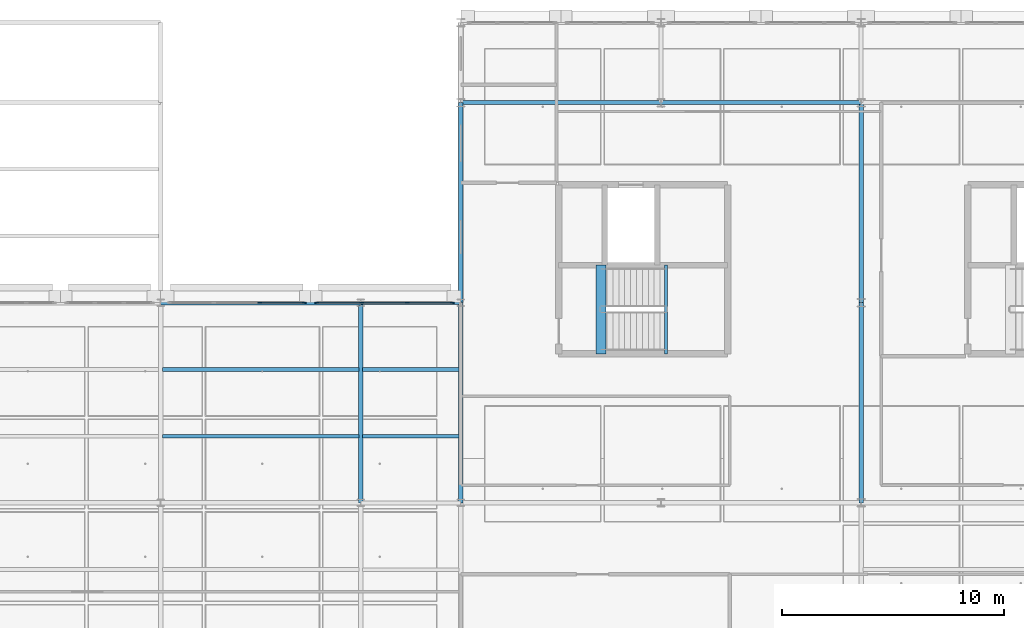
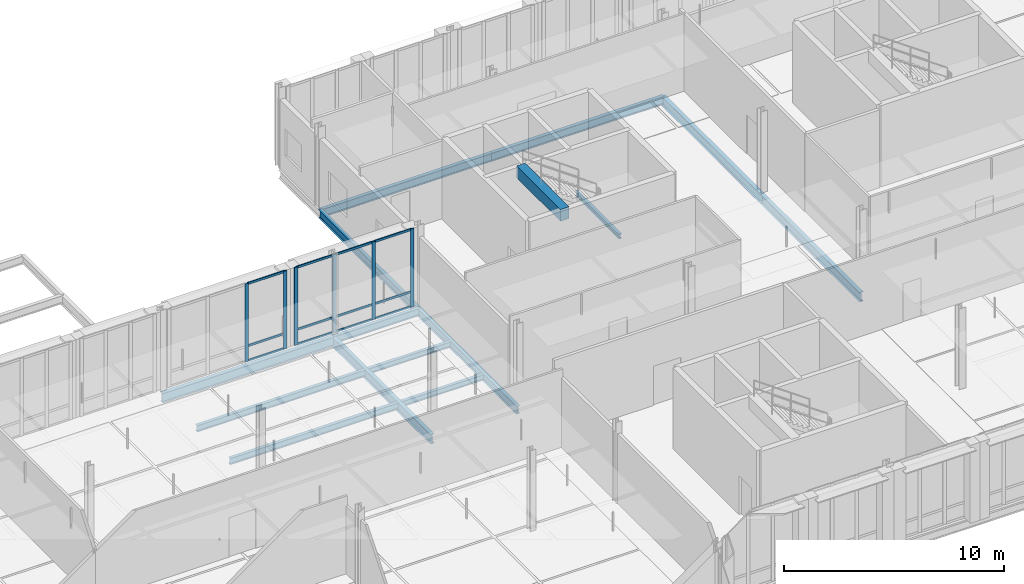
# One storey, part 58 of 140: 18 members, 15 beams, 2 elements without a shape of their own.
"""IFC4 building model written with IfcOpenShell, lengths in metres."""

from ifc_helpers import new_model, si_unit, direction, frame, origin, origin_2d, place, context, subcontext, project, spatial, rectangle, i_section, extrude, material, material_profile, profile_set, type_object, element, aggregate, save


model = new_model("IFC4")

# Units and contexts
model_context = context("Model", 3, precision=1e-05, world=origin(), true_north=direction((0.0, 1.0)))
body_context = subcontext(model_context, "Body", "Model", "MODEL_VIEW")
ifc_project = project(units=[si_unit("LENGTHUNIT", "METRE"), si_unit("AREAUNIT", "SQUARE_METRE"), si_unit("VOLUMEUNIT", "CUBIC_METRE"), si_unit("PLANEANGLEUNIT", "RADIAN"), si_unit("MASSUNIT", "GRAM", prefix="KILO"), si_unit("THERMODYNAMICTEMPERATUREUNIT", "KELVIN"), si_unit("POWERUNIT", "WATT")], contexts=[model_context])

# Site, building, storey
site_placement = place(None, origin())
site = spatial("IfcSite", under=ifc_project, at=site_placement, CompositionType="ELEMENT")
building_placement = place(site_placement, origin())
building = spatial("IfcBuilding", under=site, at=building_placement, Name="Tallowbark Science Centre", CompositionType="ELEMENT")
storey_placement = place(building_placement, frame((0.0, 0.0, 9.89990234375)))
storey = spatial("IfcBuildingStorey", under=building, at=storey_placement, Name="L02", CompositionType="ELEMENT", Elevation=9.89990234375)

# Beams
ifc_material_1 = material(Name="Concrete Grade N40 (40 MPa)", Category="concrete")
ifc_material_profile_1 = material_profile(ifc_material_1, rectangle(XDim=0.449951171875, YDim=0.64990234375, at=origin_2d()), Name="RC450x650")
ifc_profile_set_1 = profile_set([ifc_material_profile_1], Name="Concrete Grade N40 (40 MPa)")
beam_type_1 = type_object("IfcBeamType", Name="BM-GB2-N40", PredefinedType="BEAM", material=ifc_profile_set_1)
beam_1_placement = place(storey_placement, frame((118.81005859375, 96.699951171875, 4.175048828125), z_axis=(0.0, 1.0, 0.0), x_axis=(-1.0, 0.0, 0.0)))
element("IfcBeam", 1, at=beam_1_placement, inside=storey, type_object=beam_type_1, Name="Stair ST-05 Landing Nosing Beam L02", PredefinedType="BEAM", context=body_context, shape_type="SweptSolid", body=[
    extrude(rectangle(XDim=0.449951171875, YDim=0.64990234375, at=origin_2d()), origin(), (0.0, 0.0, 1.0), 3.9951171875),
])
ifc_material_2 = material(Name="Structural Steel Grade 300PLUS (300 MPa)", Category="steel")
ifc_material_profile_2 = material_profile(ifc_material_2, i_section(OverallWidth=0.177734375, OverallDepth=0.406494140625, WebThickness=0.0078125, FlangeThickness=0.0126953125, FilletRadius=0.011474609375, at=origin_2d()), Name="410UB59.7")
ifc_profile_set_2 = profile_set([ifc_material_profile_2], Name="Structural Steel Grade 300PLUS (300 MPa)")
beam_type_2 = type_object("IfcBeamType", Name="BM-UB410", PredefinedType="BEAM", material=ifc_profile_set_2)
beam_2_placement = place(storey_placement, frame((108.0, 99.0, -0.383056640625), z_axis=(1.0, 0.0, 0.0), x_axis=(0.0, 1.0, 0.0)))
element("IfcBeam", 2, at=beam_2_placement, inside=storey, type_object=beam_type_2, Name="Primary Girder GRDX-L02-1080-1125-990", PredefinedType="BEAM", context=body_context, shape_type="SweptSolid", body=[
    extrude(i_section(OverallWidth=0.177734375, OverallDepth=0.406494140625, WebThickness=0.0078125, FlangeThickness=0.0126953125, FilletRadius=0.011474609375, at=origin_2d()), origin(), (0.0, 0.0, 1.0), 4.5),
])
ifc_material_profile_3 = material_profile(ifc_material_2, i_section(OverallWidth=0.208984375, OverallDepth=0.532958984375, WebThickness=0.01025390625, FlangeThickness=0.015625, FilletRadius=0.013916015625, at=origin_2d()), Name="530UB92.4")
ifc_profile_set_3 = profile_set([ifc_material_profile_3], Name="Structural Steel Grade 300PLUS (300 MPa)")
beam_type_3 = type_object("IfcBeamType", Name="BM-UB530A", PredefinedType="BEAM", material=ifc_profile_set_3)
beam_3_placement = place(storey_placement, frame((99.0, 99.0, -0.4462890625), z_axis=(1.0, 0.0, 0.0), x_axis=(0.0, 1.0, 0.0)))
element("IfcBeam", 3, at=beam_3_placement, inside=storey, type_object=beam_type_3, Name="Primary Girder GRDX-L02-990-1080-990", PredefinedType="BEAM", context=body_context, shape_type="SweptSolid", body=[
    extrude(i_section(OverallWidth=0.208984375, OverallDepth=0.532958984375, WebThickness=0.01025390625, FlangeThickness=0.015625, FilletRadius=0.013916015625, at=origin_2d()), origin(), (0.0, 0.0, 1.0), 9.0),
])
ifc_material_profile_4 = material_profile(ifc_material_2, i_section(OverallWidth=0.208740234375, OverallDepth=0.5283203125, WebThickness=0.009521484375, FlangeThickness=0.01318359375, FilletRadius=0.013916015625, at=origin_2d()), Name="530UB82.0")
ifc_profile_set_4 = profile_set([ifc_material_profile_4], Name="Structural Steel Grade 300PLUS (300 MPa)")
beam_type_4 = type_object("IfcBeamType", Name="BM-UB530B", PredefinedType="BEAM", material=ifc_profile_set_4)
for number, where, z_axis, x_axis, name in (
    (4, (108.0, 90.0, -0.444091796875), (0.0, 1.0, 0.0), (-1.0, 0.0, 0.0), "Primary Girder GRDY-L02-1080-900-990"),
    (5, (130.5, 90.0, -0.444091796875), (0.0, 1.0, 0.0), (-1.0, 0.0, 0.0), "Primary Girder GRDY-L02-1305-900-990"),
    (6, (130.5, 99.0, -0.444091796875), (0.0, 1.0, 0.0), (-1.0, 0.0, 0.0), "Primary Girder GRDY-L02-1305-990-1080"),
):
    element("IfcBeam", number, at=place(storey_placement, frame(where, z_axis=z_axis, x_axis=x_axis)), inside=storey, type_object=beam_type_4, Name=name, PredefinedType="BEAM", context=body_context, shape_type="SweptSolid", body=[
        extrude(i_section(OverallWidth=0.208740234375, OverallDepth=0.5283203125, WebThickness=0.009521484375, FlangeThickness=0.01318359375, FilletRadius=0.013916015625, at=origin_2d()), origin(), (0.0, 0.0, 1.0), 9.0),
    ])

# Curtain wall, members
ifc_material_3 = material(Name="Unitised Thermally Broken Aluminium and Low-E Double Glazing", Category="aluminium")
curtain_wall_type = type_object("IfcCurtainWallType", Name="CW-SYS-FACADE", PredefinedType="NOTDEFINED", material=ifc_material_3)
curtain_wall_1_placement = place(storey_placement, origin())
curtain_wall_1 = element("IfcCurtainWall", 7, at=curtain_wall_1_placement, inside=storey, type_object=curtain_wall_type, Name="Unitised Curtain Wall LAB-N-99A CW-L02-074", PredefinedType="NOTDEFINED")
ifc_material_4 = material(Name="Anodised Architectural Aluminium Alloy 6063-T6", Category="aluminium")
ifc_material_profile_5 = material_profile(ifc_material_4, rectangle(XDim=0.06494140625, YDim=0.179931640625, at=origin_2d()), Name="ALU65x180")
ifc_profile_set_5 = profile_set([ifc_material_profile_5], Name="Anodised Architectural Aluminium Alloy 6063-T6")
member_type_1 = type_object("IfcMemberType", Name="CWM-MUL-220", PredefinedType="MULLION", material=ifc_profile_set_5)
member_1_placement = place(storey_placement, frame((112.117431640625, 99.0, 0.0), z_axis=(0.0, 0.0, 1.0), x_axis=(0.0, -1.0, 0.0)))
member_1 = element("IfcMember", 8, at=member_1_placement, type_object=member_type_1, Name="CW-01 mullion 1", PredefinedType="MULLION", context=body_context, shape_type="SweptSolid", body=[
    extrude(rectangle(XDim=0.06494140625, YDim=0.179931640625, at=origin_2d()), origin(), (0.0, 0.0, 1.0), 4.320068359375),
])
member_2_placement = place(storey_placement, frame((110.10009765625, 99.0, 0.0), z_axis=(0.0, 0.0, 1.0), x_axis=(0.0, -1.0, 0.0)))
member_2 = element("IfcMember", 9, at=member_2_placement, type_object=member_type_1, Name="CW-01 mullion 2", PredefinedType="MULLION", context=body_context, shape_type="SweptSolid", body=[
    extrude(rectangle(XDim=0.06494140625, YDim=0.179931640625, at=origin_2d()), origin(), (0.0, 0.0, 1.0), 4.320068359375),
])
member_3_placement = place(storey_placement, frame((108.050048828125, 99.0, 0.0), z_axis=(0.0, 0.0, 1.0), x_axis=(0.0, -1.0, 0.0)))
member_3 = element("IfcMember", 10, at=member_3_placement, type_object=member_type_1, Name="CW-01 mullion 3", PredefinedType="MULLION", context=body_context, shape_type="SweptSolid", body=[
    extrude(rectangle(XDim=0.06494140625, YDim=0.179931640625, at=origin_2d()), origin(), (0.0, 0.0, 1.0), 4.320068359375),
])
member_4_placement = place(storey_placement, frame((106.032470703125, 99.0, 0.0), z_axis=(0.0, 0.0, 1.0), x_axis=(0.0, -1.0, 0.0)))
member_4 = element("IfcMember", 11, at=member_4_placement, type_object=member_type_1, Name="CW-01 mullion 4", PredefinedType="MULLION", context=body_context, shape_type="SweptSolid", body=[
    extrude(rectangle(XDim=0.06494140625, YDim=0.179931640625, at=origin_2d()), origin(), (0.0, 0.0, 1.0), 4.320068359375),
])

curtain_wall_2_placement = place(storey_placement, origin())
curtain_wall_2 = element("IfcCurtainWall", 12, at=curtain_wall_2_placement, inside=storey, type_object=curtain_wall_type, Name="Unitised Curtain Wall LAB-N-99B CW-L02-075", PredefinedType="NOTDEFINED")
member_5_placement = place(storey_placement, frame((105.467529296875, 99.0, 0.0), z_axis=(0.0, 0.0, 1.0), x_axis=(0.0, -1.0, 0.0)))
member_5 = element("IfcMember", 13, at=member_5_placement, type_object=member_type_1, Name="CW-01 mullion 1", PredefinedType="MULLION", context=body_context, shape_type="SweptSolid", body=[
    extrude(rectangle(XDim=0.06494140625, YDim=0.179931640625, at=origin_2d()), origin(), (0.0, 0.0, 1.0), 4.320068359375),
])
member_6_placement = place(storey_placement, frame((103.449951171875, 99.0, 0.0), z_axis=(0.0, 0.0, 1.0), x_axis=(0.0, -1.0, 0.0)))
member_6 = element("IfcMember", 14, at=member_6_placement, type_object=member_type_1, Name="CW-01 mullion 2", PredefinedType="MULLION", context=body_context, shape_type="SweptSolid", body=[
    extrude(rectangle(XDim=0.06494140625, YDim=0.179931640625, at=origin_2d()), origin(), (0.0, 0.0, 1.0), 4.320068359375),
])

# Member
ifc_material_profile_6 = material_profile(ifc_material_4, rectangle(XDim=0.054931640625, YDim=0.1201171875, at=origin_2d()), Name="ALU55x120")
ifc_profile_set_6 = profile_set([ifc_material_profile_6], Name="Anodised Architectural Aluminium Alloy 6063-T6")
member_type_2 = type_object("IfcMemberType", Name="CWM-TRN-150", PredefinedType="USERDEFINED", material=ifc_profile_set_6)
member_7_placement = place(storey_placement, frame((112.0849609375, 99.0, 0.027587890625), z_axis=(-1.0, 0.0, 0.0), x_axis=(0.0, -1.0, 0.0)))
member_7 = element("IfcMember", 15, at=member_7_placement, type_object=member_type_2, Name="CW-01 transom 1.1", ObjectType="TRANSOM", PredefinedType="USERDEFINED", context=body_context, shape_type="SweptSolid", body=[
    extrude(rectangle(XDim=0.054931640625, YDim=0.1201171875, at=origin_2d()), origin(), (0.0, 0.0, 1.0), 1.952392578125),
])

member_8_placement = place(storey_placement, frame((112.0849609375, 99.0, 0.85009765625), z_axis=(-1.0, 0.0, 0.0), x_axis=(0.0, -1.0, 0.0)))
member_8 = element("IfcMember", 16, at=member_8_placement, type_object=member_type_2, Name="CW-01 transom 1.2", ObjectType="TRANSOM", PredefinedType="USERDEFINED", context=body_context, shape_type="SweptSolid", body=[
    extrude(rectangle(XDim=0.054931640625, YDim=0.1201171875, at=origin_2d()), origin(), (0.0, 0.0, 1.0), 1.952392578125),
])

member_9_placement = place(storey_placement, frame((112.0849609375, 99.0, 4.29248046875), z_axis=(-1.0, 0.0, 0.0), x_axis=(0.0, -1.0, 0.0)))
member_9 = element("IfcMember", 17, at=member_9_placement, type_object=member_type_2, Name="CW-01 transom 1.3", ObjectType="TRANSOM", PredefinedType="USERDEFINED", context=body_context, shape_type="SweptSolid", body=[
    extrude(rectangle(XDim=0.054931640625, YDim=0.1201171875, at=origin_2d()), origin(), (0.0, 0.0, 1.0), 1.952392578125),
])

member_10_placement = place(storey_placement, frame((110.0673828125, 99.0, 0.027587890625), z_axis=(-1.0, 0.0, 0.0), x_axis=(0.0, -1.0, 0.0)))
member_10 = element("IfcMember", 18, at=member_10_placement, type_object=member_type_2, Name="CW-01 transom 2.1", ObjectType="TRANSOM", PredefinedType="USERDEFINED", context=body_context, shape_type="SweptSolid", body=[
    extrude(rectangle(XDim=0.054931640625, YDim=0.1201171875, at=origin_2d()), origin(), (0.0, 0.0, 1.0), 1.98486328125),
])

member_11_placement = place(storey_placement, frame((110.0673828125, 99.0, 0.85009765625), z_axis=(-1.0, 0.0, 0.0), x_axis=(0.0, -1.0, 0.0)))
member_11 = element("IfcMember", 19, at=member_11_placement, type_object=member_type_2, Name="CW-01 transom 2.2", ObjectType="TRANSOM", PredefinedType="USERDEFINED", context=body_context, shape_type="SweptSolid", body=[
    extrude(rectangle(XDim=0.054931640625, YDim=0.1201171875, at=origin_2d()), origin(), (0.0, 0.0, 1.0), 1.98486328125),
])

member_12_placement = place(storey_placement, frame((110.0673828125, 99.0, 4.29248046875), z_axis=(-1.0, 0.0, 0.0), x_axis=(0.0, -1.0, 0.0)))
member_12 = element("IfcMember", 20, at=member_12_placement, type_object=member_type_2, Name="CW-01 transom 2.3", ObjectType="TRANSOM", PredefinedType="USERDEFINED", context=body_context, shape_type="SweptSolid", body=[
    extrude(rectangle(XDim=0.054931640625, YDim=0.1201171875, at=origin_2d()), origin(), (0.0, 0.0, 1.0), 1.98486328125),
])

member_13_placement = place(storey_placement, frame((108.017578125, 99.0, 0.027587890625), z_axis=(-1.0, 0.0, 0.0), x_axis=(0.0, -1.0, 0.0)))
member_13 = element("IfcMember", 21, at=member_13_placement, type_object=member_type_2, Name="CW-01 transom 3.1", ObjectType="TRANSOM", PredefinedType="USERDEFINED", context=body_context, shape_type="SweptSolid", body=[
    extrude(rectangle(XDim=0.054931640625, YDim=0.1201171875, at=origin_2d()), origin(), (0.0, 0.0, 1.0), 1.95263671875),
])

member_14_placement = place(storey_placement, frame((108.017578125, 99.0, 0.85009765625), z_axis=(-1.0, 0.0, 0.0), x_axis=(0.0, -1.0, 0.0)))
member_14 = element("IfcMember", 22, at=member_14_placement, type_object=member_type_2, Name="CW-01 transom 3.2", ObjectType="TRANSOM", PredefinedType="USERDEFINED", context=body_context, shape_type="SweptSolid", body=[
    extrude(rectangle(XDim=0.054931640625, YDim=0.1201171875, at=origin_2d()), origin(), (0.0, 0.0, 1.0), 1.95263671875),
])

member_15_placement = place(storey_placement, frame((108.017578125, 99.0, 4.29248046875), z_axis=(-1.0, 0.0, 0.0), x_axis=(0.0, -1.0, 0.0)))
member_15 = element("IfcMember", 23, at=member_15_placement, type_object=member_type_2, Name="CW-01 transom 3.3", ObjectType="TRANSOM", PredefinedType="USERDEFINED", context=body_context, shape_type="SweptSolid", body=[
    extrude(rectangle(XDim=0.054931640625, YDim=0.1201171875, at=origin_2d()), origin(), (0.0, 0.0, 1.0), 1.95263671875),
])

aggregate(curtain_wall_1, [member_1, member_2, member_3, member_4, member_7, member_8, member_9, member_10, member_11, member_12, member_13, member_14, member_15])

member_16_placement = place(storey_placement, frame((105.43505859375, 99.0, 0.027587890625), z_axis=(-1.0, 0.0, 0.0), x_axis=(0.0, -1.0, 0.0)))
member_16 = element("IfcMember", 24, at=member_16_placement, type_object=member_type_2, Name="CW-01 transom 1.1", ObjectType="TRANSOM", PredefinedType="USERDEFINED", context=body_context, shape_type="SweptSolid", body=[
    extrude(rectangle(XDim=0.054931640625, YDim=0.1201171875, at=origin_2d()), origin(), (0.0, 0.0, 1.0), 1.95263671875),
])

member_17_placement = place(storey_placement, frame((105.43505859375, 99.0, 0.85009765625), z_axis=(-1.0, 0.0, 0.0), x_axis=(0.0, -1.0, 0.0)))
member_17 = element("IfcMember", 25, at=member_17_placement, type_object=member_type_2, Name="CW-01 transom 1.2", ObjectType="TRANSOM", PredefinedType="USERDEFINED", context=body_context, shape_type="SweptSolid", body=[
    extrude(rectangle(XDim=0.054931640625, YDim=0.1201171875, at=origin_2d()), origin(), (0.0, 0.0, 1.0), 1.95263671875),
])

member_18_placement = place(storey_placement, frame((105.43505859375, 99.0, 4.29248046875), z_axis=(-1.0, 0.0, 0.0), x_axis=(0.0, -1.0, 0.0)))
member_18 = element("IfcMember", 26, at=member_18_placement, type_object=member_type_2, Name="CW-01 transom 1.3", ObjectType="TRANSOM", PredefinedType="USERDEFINED", context=body_context, shape_type="SweptSolid", body=[
    extrude(rectangle(XDim=0.054931640625, YDim=0.1201171875, at=origin_2d()), origin(), (0.0, 0.0, 1.0), 1.95263671875),
])

aggregate(curtain_wall_2, [member_5, member_6, member_16, member_17, member_18])

# Beams
ifc_material_profile_7 = material_profile(ifc_material_2, i_section(OverallWidth=0.146484375, OverallDepth=0.256103515625, WebThickness=0.00634765625, FlangeThickness=0.010986328125, FilletRadius=0.0087890625, at=origin_2d()), Name="250UB37.3")
ifc_profile_set_7 = profile_set([ifc_material_profile_7], Name="Structural Steel Grade 300PLUS (300 MPa)")
beam_type_5 = type_object("IfcBeamType", Name="JST-UB250", PredefinedType="JOIST", material=ifc_profile_set_7)
beam_4_placement = place(storey_placement, frame((121.72509765625, 96.699951171875, 1.922119140625), z_axis=(0.0, 1.0, 0.0), x_axis=(-1.0, 0.0, 0.0)))
element("IfcBeam", 27, at=beam_4_placement, inside=storey, type_object=beam_type_5, Name="Stair ST-05 Half-Landing Trimmer L02", PredefinedType="JOIST", context=body_context, shape_type="SweptSolid", body=[
    extrude(i_section(OverallWidth=0.146484375, OverallDepth=0.256103515625, WebThickness=0.00634765625, FlangeThickness=0.010986328125, FilletRadius=0.0087890625, at=origin_2d()), origin(), (0.0, 0.0, 1.0), 3.9951171875),
])
ifc_material_profile_8 = material_profile(ifc_material_2, i_section(OverallWidth=0.166015625, OverallDepth=0.30712890625, WebThickness=0.006591796875, FlangeThickness=0.01171875, FilletRadius=0.011474609375, at=origin_2d()), Name="310UB46.2")
ifc_profile_set_8 = profile_set([ifc_material_profile_8], Name="Structural Steel Grade 300PLUS (300 MPa)")
beam_type_6 = type_object("IfcBeamType", Name="JST-UB310", PredefinedType="JOIST", material=ifc_profile_set_8)
for number, where, z_axis, x_axis, name in (
    (28, (108.0849609375, 93.0, -0.33349609375), (1.0, 0.0, 0.0), (0.0, 1.0, 0.0), "Composite Floor Joist JSTX-L02-1080-930"),
    (29, (108.0849609375, 96.0, -0.33349609375), (1.0, 0.0, 0.0), (0.0, 1.0, 0.0), "Composite Floor Joist JSTX-L02-1080-960"),
):
    element("IfcBeam", number, at=place(storey_placement, frame(where, z_axis=z_axis, x_axis=x_axis)), inside=storey, type_object=beam_type_6, Name=name, PredefinedType="JOIST", context=body_context, shape_type="SweptSolid", body=[
        extrude(i_section(OverallWidth=0.166015625, OverallDepth=0.30712890625, WebThickness=0.006591796875, FlangeThickness=0.01171875, FilletRadius=0.011474609375, at=origin_2d()), origin(), (0.0, 0.0, 1.0), 4.330078125),
    ])
ifc_material_profile_9 = material_profile(ifc_material_2, i_section(OverallWidth=0.172119140625, OverallDepth=0.358642578125, WebThickness=0.008056640625, FlangeThickness=0.012939453125, FilletRadius=0.011474609375, at=origin_2d()), Name="360UB56.7")
ifc_profile_set_9 = profile_set([ifc_material_profile_9], Name="Structural Steel Grade 300PLUS (300 MPa)")
beam_type_7 = type_object("IfcBeamType", Name="JST-UB360", PredefinedType="JOIST", material=ifc_profile_set_9)
for number, where, z_axis, x_axis, name in (
    (30, (99.0849609375, 93.0, -0.359130859375), (1.0, 0.0, 0.0), (0.0, 1.0, 0.0), "Composite Floor Joist JSTX-L02-990-930"),
    (31, (99.0849609375, 96.0, -0.359130859375), (1.0, 0.0, 0.0), (0.0, 1.0, 0.0), "Composite Floor Joist JSTX-L02-990-960"),
):
    element("IfcBeam", number, at=place(storey_placement, frame(where, z_axis=z_axis, x_axis=x_axis)), inside=storey, type_object=beam_type_7, Name=name, PredefinedType="JOIST", context=body_context, shape_type="SweptSolid", body=[
        extrude(i_section(OverallWidth=0.172119140625, OverallDepth=0.358642578125, WebThickness=0.008056640625, FlangeThickness=0.012939453125, FilletRadius=0.011474609375, at=origin_2d()), origin(), (0.0, 0.0, 1.0), 8.830078125),
    ])
ifc_material_profile_10 = material_profile(ifc_material_2, i_section(OverallWidth=0.18994140625, OverallDepth=0.453857421875, WebThickness=0.008544921875, FlangeThickness=0.0126953125, FilletRadius=0.011474609375, at=origin_2d()), Name="460UB67.1")
ifc_profile_set_10 = profile_set([ifc_material_profile_10], Name="Structural Steel Grade 300PLUS (300 MPa)")
beam_type_8 = type_object("IfcBeamType", Name="SPN-UB460", PredefinedType="SPANDREL", material=ifc_profile_set_10)
for number, where, z_axis, x_axis, name in (
    (32, (112.5, 108.0, -0.40673828125), (1.0, 0.0, 0.0), (0.0, 1.0, 0.0), "Primary Girder GRDX-L02-1125-1215-1080"),
    (33, (121.5, 108.0, -0.40673828125), (1.0, 0.0, 0.0), (0.0, 1.0, 0.0), "Primary Girder GRDX-L02-1215-1305-1080"),
    (34, (112.5, 90.0, -0.40673828125), (0.0, 1.0, 0.0), (-1.0, 0.0, 0.0), "Primary Girder GRDY-L02-1125-900-990"),
    (35, (112.5, 99.0, -0.40673828125), (0.0, 1.0, 0.0), (-1.0, 0.0, 0.0), "Primary Girder GRDY-L02-1125-990-1080"),
):
    element("IfcBeam", number, at=place(storey_placement, frame(where, z_axis=z_axis, x_axis=x_axis)), inside=storey, type_object=beam_type_8, Name=name, PredefinedType="SPANDREL", context=body_context, shape_type="SweptSolid", body=[
        extrude(i_section(OverallWidth=0.18994140625, OverallDepth=0.453857421875, WebThickness=0.008544921875, FlangeThickness=0.0126953125, FilletRadius=0.011474609375, at=origin_2d()), origin(), (0.0, 0.0, 1.0), 9.0),
    ])

save(model, "model.ifc")
